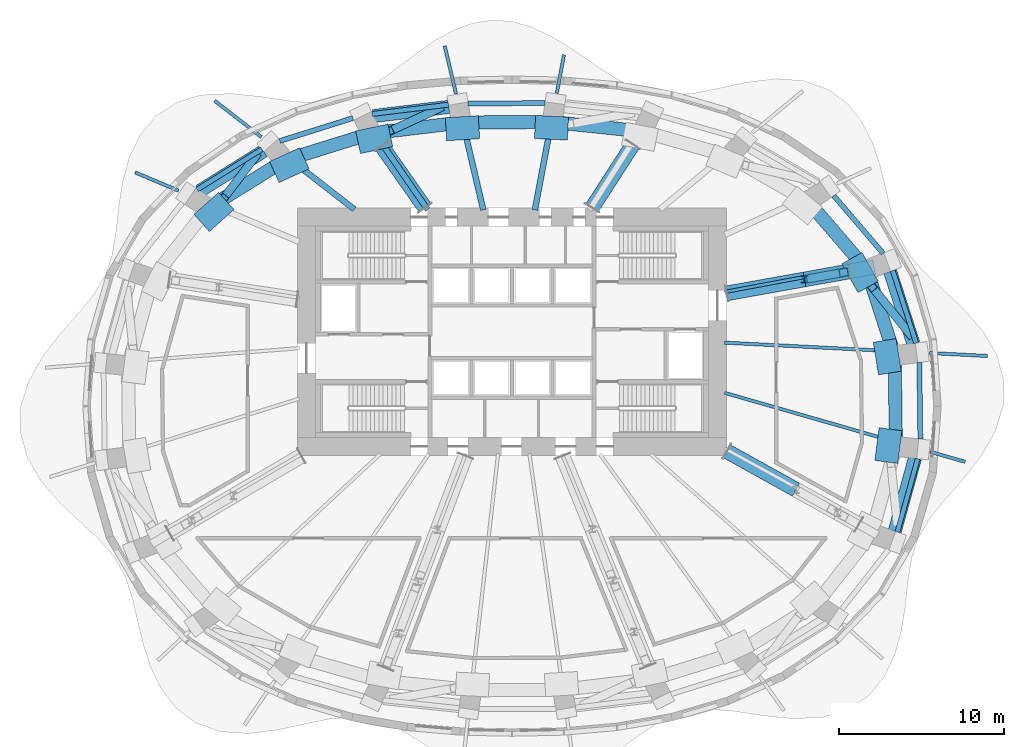
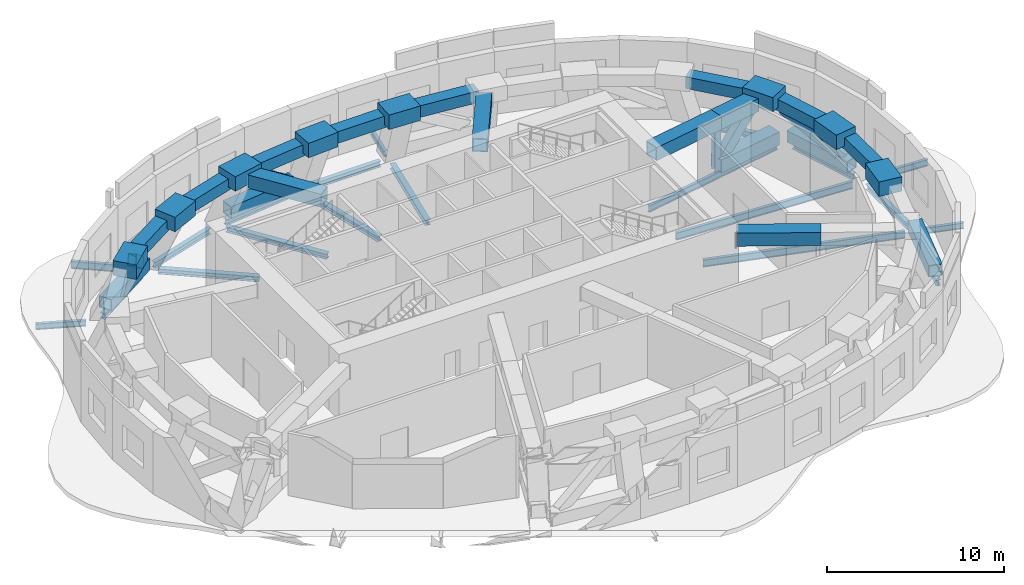
# One storey, part 4 of 11: 29 beams, 23 members.
"""IFC4 building model written with IfcOpenShell, lengths in metres."""

import ifcopenshell
import ifcopenshell.guid

model = None  # the IFC model being written
_history = None  # IfcOwnerHistory: only IFC2X3 demands one
_inside = {}  # id of a spatial element -> (the spatial element, [elements in it])
_under = {}  # id of a project, library or spatial element -> (it, [spatial elements below it])
_declared = {}  # id of a project -> (the project, [libraries it declares])
_typed = {}  # id of a type object -> (the type object, [elements of that type])
_made_of = {}  # id of a material, layer set ... -> (it, [elements and type objects made of it])


def new_model(schema):
    """Start an empty IFC model of exactly this schema.

    Asked for "IFC4X3", IfcOpenShell would pick the latest addendum, in which some entities
    have other attributes; the version numbers below select the first issue.
    IFC2X3 requires an IfcOwnerHistory on every rooted entity: one is made here for all.
    """
    global model, _history
    if schema == "IFC4X3":
        model = ifcopenshell.file(schema_version=(4, 3, 0, 0))
    else:
        model = ifcopenshell.file(schema=schema)
    _inside.clear()
    _under.clear()
    _declared.clear()
    _typed.clear()
    _made_of.clear()
    _history = None
    if model.schema == "IFC2X3":
        org = make("IfcOrganization", Name="unknown")
        user = make(
            "IfcPersonAndOrganization",
            ThePerson=make("IfcPerson", FamilyName="unknown"),
            TheOrganization=org,
        )
        app = make(
            "IfcApplication",
            ApplicationDeveloper=org,
            Version="unknown",
            ApplicationFullName="unknown",
            ApplicationIdentifier="unknown",
        )
        _history = make(
            "IfcOwnerHistory",
            OwningUser=user,
            OwningApplication=app,
            ChangeAction="ADDED",
            CreationDate=0,
        )
    return model


def make(cls, **values):
    """One entity of the class cls with the attributes given. An attribute that is None is left unset."""
    return model.create_entity(
        cls, **{name: value for name, value in values.items() if value is not None}
    )


def rooted(cls, **values):
    """An entity with a GlobalId (a new one), such as an element, a storey or a relation."""
    return make(cls, GlobalId=ifcopenshell.guid.new(), OwnerHistory=_history, **values)


def si_unit(unit_type, name, prefix=None):
    """IfcSIUnit, for example si_unit("LENGTHUNIT", "METRE", prefix="MILLI")."""
    return make("IfcSIUnit", UnitType=unit_type, Prefix=prefix, Name=name)


def assignment(units):
    """IfcUnitAssignment: the units of a project."""
    return None if units is None else make("IfcUnitAssignment", Units=units)


def point(xyz):
    """IfcCartesianPoint."""
    return None if xyz is None else make("IfcCartesianPoint", Coordinates=xyz)


def direction(xyz):
    """IfcDirection."""
    return None if xyz is None else make("IfcDirection", DirectionRatios=xyz)


def frame(location, z_axis=None, x_axis=None):
    """IfcAxis2Placement3D, a coordinate frame: its origin and axes. An axis left out is left unset."""
    return make(
        "IfcAxis2Placement3D",
        Location=point(location),
        Axis=direction(z_axis),
        RefDirection=direction(x_axis),
    )


def frame_2d(location, x_axis=None):
    """IfcAxis2Placement2D, a coordinate frame in the plane: its origin and x axis."""
    return make(
        "IfcAxis2Placement2D", Location=point(location), RefDirection=direction(x_axis)
    )


def origin():
    """The frame at (0, 0, 0) with its axes left unset."""
    return frame((0.0, 0.0, 0.0))


def origin_2d():
    """The frame at (0, 0) in the plane with its x axis left unset."""
    return frame_2d((0.0, 0.0))


def place(relative_to, where):
    """IfcLocalPlacement: puts the frame where relative to a parent placement (None: the world)."""
    return make(
        "IfcLocalPlacement", PlacementRelTo=relative_to, RelativePlacement=where
    )


def context(
    kind, dimensions, precision=None, world=None, true_north=None, identifier=None
):
    """IfcGeometricRepresentationContext, for example the 3D "Model" context."""
    return make(
        "IfcGeometricRepresentationContext",
        ContextIdentifier=identifier,
        ContextType=kind,
        CoordinateSpaceDimension=dimensions,
        Precision=precision,
        WorldCoordinateSystem=world,
        TrueNorth=true_north,
    )


def subcontext(parent, identifier, kind, view, scale=None):
    """IfcGeometricRepresentationSubContext, for example "Body" below "Model"."""
    return make(
        "IfcGeometricRepresentationSubContext",
        ContextIdentifier=identifier,
        ContextType=kind,
        ParentContext=parent,
        TargetScale=scale,
        TargetView=view,
    )


def project(units=None, contexts=None):
    """IfcProject with its units and contexts."""
    return rooted(
        "IfcProject",
        Name="project",
        RepresentationContexts=contexts,
        UnitsInContext=assignment(units),
    )


def spatial(cls, under=None, at=None, **own):
    """A site, building, storey or space (cls), placed at a placement, below another one or the project."""
    s = rooted(cls, ObjectPlacement=at, **own)
    if under is not None:
        _under.setdefault(under.id(), (under, []))[1].append(s)
    return s


def profile(cls, at=None, kind="AREA", **sizes):
    """A parametric profile (cls). Its sizes go by their IFC names, for example OverallWidth=200.0."""
    return make(cls, ProfileType=kind, Position=at, **sizes)


def rectangle(**sizes):
    """IfcRectangleProfileDef."""
    return profile("IfcRectangleProfileDef", **sizes)


def hollow_rectangle(**sizes):
    """IfcRectangleHollowProfileDef."""
    return profile("IfcRectangleHollowProfileDef", **sizes)


def i_section(**sizes):
    """IfcIShapeProfileDef."""
    return profile("IfcIShapeProfileDef", **sizes)


def extrude(swept, where, along, depth):
    """IfcExtrudedAreaSolid: the profile swept, set in the frame where, extruded along a direction by depth."""
    return make(
        "IfcExtrudedAreaSolid",
        SweptArea=swept,
        Position=where,
        ExtrudedDirection=direction(along),
        Depth=depth,
    )


def shape(context_of_items, identifier, shape_type, items):
    """IfcShapeRepresentation: the items that make up one representation, for example the "Body"."""
    return make(
        "IfcShapeRepresentation",
        ContextOfItems=context_of_items,
        RepresentationIdentifier=identifier,
        RepresentationType=shape_type,
        Items=items,
    )


def material(Name=None, Category=None):
    """IfcMaterial."""
    return make("IfcMaterial", Name=Name, Category=Category)


def material_profile(
    of_material, cross_section, Name=None, Category=None, Priority=None
):
    """IfcMaterialProfile: a cross section and its material."""
    return make(
        "IfcMaterialProfile",
        Name=Name,
        Material=of_material,
        Profile=cross_section,
        Priority=Priority,
        Category=Category,
    )


def profile_set(profiles, Name=None, composite=None):
    """IfcMaterialProfileSet."""
    return make(
        "IfcMaterialProfileSet",
        Name=Name,
        MaterialProfiles=profiles,
        CompositeProfile=composite,
    )


def made_of(thing, what):
    """Note that an element or type object is made of a material, layer set ...; save() writes the relation."""
    if what is not None:
        _made_of.setdefault(what.id(), (what, []))[1].append(thing)
    return thing


def type_object(cls, material=None, **own):
    """A type object (cls), such as IfcWallType, which elements share."""
    return made_of(rooted(cls, **own), material)


def element(
    cls,
    number,
    at=None,
    inside=None,
    cuts=None,
    type_object=None,
    material=None,
    context=None,
    identifier="Body",
    shape_type=None,
    held_by="IfcProductDefinitionShape",
    body=None,
    shapes=None,
    **own,
):
    """One element of the class cls, such as IfcWall. Its Tag is "e" and its number.

    at: its placement. inside: the storey or other place that contains it. cuts: it is an
    opening in that element (IfcRelVoidsElement). A single representation is given by context,
    identifier, shape_type and body (its items); several are given by shapes. held_by: the class
    of the entity that holds the representations. save() writes the other relations.
    """
    e = rooted(cls, Tag="e%d" % number, ObjectPlacement=at, **own)
    if body is not None:
        shapes = [shape(context, identifier, shape_type, body)]
    if shapes is not None:
        e.Representation = make(held_by, Representations=shapes)
    if inside is not None:
        _inside.setdefault(inside.id(), (inside, []))[1].append(e)
    if cuts is not None:
        rooted(
            "IfcRelVoidsElement", RelatingBuildingElement=cuts, RelatedOpeningElement=e
        )
    if type_object is not None:
        _typed.setdefault(type_object.id(), (type_object, []))[1].append(e)
    return made_of(e, material)


def aggregate(whole, parts):
    """IfcRelAggregates: a whole, such as a stair, and the parts it consists of."""
    return rooted("IfcRelAggregates", RelatingObject=whole, RelatedObjects=parts)


def save(model, path):
    """Write the relations noted so far, then the file.

    IfcRelAggregates (storeys below a building ...), IfcRelContainedInSpatialStructure (elements
    in a storey), IfcRelDefinesByType, IfcRelAssociatesMaterial and IfcRelDeclares: one each for
    every whole, place, type object, material and project.
    """
    for whole, parts in _under.values():
        aggregate(whole, parts)
    for where, things in _inside.values():
        rooted(
            "IfcRelContainedInSpatialStructure",
            RelatedElements=things,
            RelatingStructure=where,
        )
    for kind, things in _typed.values():
        rooted("IfcRelDefinesByType", RelatedObjects=things, RelatingType=kind)
    for what, things in _made_of.values():
        rooted("IfcRelAssociatesMaterial", RelatedObjects=things, RelatingMaterial=what)
    for by, libraries in _declared.values():
        rooted("IfcRelDeclares", RelatingContext=by, RelatedDefinitions=libraries)
    model.write(path)


model = new_model("IFC4")

# Units and contexts
model_context = context("Model", 3, precision=1e-05, world=origin(), true_north=direction((0.0, 1.0)))
body_context = subcontext(model_context, "Body", "Model", "MODEL_VIEW")
ifc_project = project(units=[si_unit("LENGTHUNIT", "METRE"), si_unit("AREAUNIT", "SQUARE_METRE"), si_unit("VOLUMEUNIT", "CUBIC_METRE"), si_unit("PLANEANGLEUNIT", "RADIAN"), si_unit("MASSUNIT", "GRAM", prefix="KILO")], contexts=[model_context])

# Site, building, storey
site_placement = place(None, origin())
site = spatial("IfcSite", under=ifc_project, at=site_placement, CompositionType="ELEMENT")
building_placement = place(site_placement, origin())
building = spatial("IfcBuilding", under=site, at=building_placement, Name="Rubra Terraces Tower", CompositionType="ELEMENT")
storey_placement = place(building_placement, frame((0.0, 0.0, 121.199951171875)))
storey = spatial("IfcBuildingStorey", under=building, at=storey_placement, Name="L29", CompositionType="ELEMENT", Elevation=121.199951171875)

# Members
ifc_material_1 = material(Name="Steel Q355B", Category="steel")
ifc_material_profile_1 = material_profile(ifc_material_1, hollow_rectangle(XDim=0.800048828125, YDim=0.800048828125, WallThickness=0.0400390625, at=origin_2d()), Name="BOX 800x800x40")
ifc_profile_set_1 = profile_set([ifc_material_profile_1], Name="Steel Q355B")
member_type_1 = type_object("IfcMemberType", Name="BELT TRUSS BOTTOM CHORD R3 BOX 800x800x40", PredefinedType="CHORD", material=ifc_profile_set_1)
member_1_placement = place(storey_placement, frame((24.31201171875, 3.7958984375, 0.400146484375), z_axis=(-0.307418601627, 0.951574381419, 0.0), x_axis=(-0.951574381419, -0.307418601627, 0.0)))
element("IfcMember", 1, at=member_1_placement, inside=storey, type_object=member_type_1, Name="BELT TRUSS CHORD R3", PredefinedType="CHORD", context=body_context, shape_type="SweptSolid", body=[
    extrude(hollow_rectangle(XDim=0.800048828125, YDim=0.800048828125, WallThickness=0.0400390625, at=origin_2d()), origin(), (0.0, 0.0, 1.0), 4.579833984375),
])
member_2_placement = place(storey_placement, frame((-3.826904296875, 18.125, 0.400146484375), z_axis=(-0.99273052313, -0.120358250431, 0.0), x_axis=(0.120358250431, -0.99273052313, 0.0)))
element("IfcMember", 2, at=member_2_placement, inside=storey, type_object=member_type_1, Name="BELT TRUSS CHORD R3", PredefinedType="CHORD", context=body_context, shape_type="SweptSolid", body=[
    extrude(hollow_rectangle(XDim=0.800048828125, YDim=0.800048828125, WallThickness=0.0400390625, at=origin_2d()), origin(), (0.0, 0.0, 1.0), 4.610595703125),
])
member_3_placement = place(storey_placement, frame((-15.049072265625, 15.448974609375, 0.400146484375), z_axis=(-0.848326493206, -0.529473475185, 0.0), x_axis=(0.529473475185, -0.848326493206, 0.0)))
element("IfcMember", 3, at=member_3_placement, inside=storey, type_object=member_type_1, Name="BELT TRUSS CHORD R3", PredefinedType="CHORD", context=body_context, shape_type="SweptSolid", body=[
    extrude(hollow_rectangle(XDim=0.800048828125, YDim=0.800048828125, WallThickness=0.0400390625, at=origin_2d()), origin(), (0.0, 0.0, 1.0), 4.594970703125),
])
member_4_placement = place(storey_placement, frame((23.18408203125, -7.573974609375, 0.400146484375), z_axis=(0.267473514627, 0.963565212621, 0.0), x_axis=(-0.963565212621, 0.267473514627, 0.0)))
element("IfcMember", 4, at=member_4_placement, inside=storey, type_object=member_type_1, Name="BELT TRUSS CHORD R3", PredefinedType="CHORD", context=body_context, shape_type="SweptSolid", body=[
    extrude(hollow_rectangle(XDim=0.800048828125, YDim=0.800048828125, WallThickness=0.0400390625, at=origin_2d()), origin(), (0.0, 0.0, 1.0), 4.5830078125),
])
ifc_material_profile_2 = material_profile(ifc_material_1, hollow_rectangle(XDim=0.5, YDim=0.699951171875, WallThickness=0.030029296875, at=origin_2d()), Name="BOX 700x500x30")
ifc_profile_set_2 = profile_set([ifc_material_profile_2], Name="Steel Q355B")
member_type_2 = type_object("IfcMemberType", Name="BELT TRUSS DIAGONAL R3 BOX 700x500x30", PredefinedType="BRACE", material=ifc_profile_set_2)
member_5_placement = place(storey_placement, frame((24.14306640625, 4.319091796875, 0.699951171875), z_axis=(-0.519974770768, 0.649678822342, 0.554566195837), x_axis=(-0.780732959593, -0.624864822025, 0.0)))
element("IfcMember", 5, at=member_5_placement, inside=storey, type_object=member_type_2, Name="BELT TRUSS DIAGONAL R3", PredefinedType="BRACE", context=body_context, shape_type="SweptSolid", body=[
    extrude(hollow_rectangle(XDim=0.5, YDim=0.699951171875, WallThickness=0.030029296875, at=origin_2d()), origin(), (0.0, 0.0, 1.0), 4.42529296875),
])
member_6_placement = place(storey_placement, frame((-4.3759765625, 18.05810546875, 0.699951171875), z_axis=(-0.731426800334, -0.33774933468, 0.592402078556), x_axis=(0.419229807783, -0.907880150827, 0.0)))
element("IfcMember", 6, at=member_6_placement, inside=storey, type_object=member_type_2, Name="BELT TRUSS DIAGONAL R3", PredefinedType="BRACE", context=body_context, shape_type="SweptSolid", body=[
    extrude(hollow_rectangle(XDim=0.5, YDim=0.699951171875, WallThickness=0.030029296875, at=origin_2d()), origin(), (0.0, 0.0, 1.0), 4.142578125),
])
member_7_placement = place(storey_placement, frame((-15.51708984375, 15.156982421875, 0.699951171875), z_axis=(-0.48074670976, -0.633801994534, 0.605951840314), x_axis=(0.796732789798, -0.604331748016, 0.0)))
element("IfcMember", 7, at=member_7_placement, inside=storey, type_object=member_type_2, Name="BELT TRUSS DIAGONAL R3", PredefinedType="BRACE", context=body_context, shape_type="SweptSolid", body=[
    extrude(hollow_rectangle(XDim=0.5, YDim=0.699951171875, WallThickness=0.030029296875, at=origin_2d()), origin(), (0.0, 0.0, 1.0), 4.050048828125),
])
ifc_material_profile_3 = material_profile(ifc_material_1, hollow_rectangle(XDim=0.800048828125, YDim=0.800048828125, WallThickness=0.0400390625, at=origin_2d()), Name="BOX 800x800x40")
ifc_profile_set_3 = profile_set([ifc_material_profile_3], Name="Steel Q355B")
member_type_3 = type_object("IfcMemberType", Name="BELT TRUSS TOP CHORD R3 BOX 800x800x40", PredefinedType="CHORD", material=ifc_profile_set_3)
member_8_placement = place(storey_placement, frame((22.9990234375, 3.623046875, 3.4541015625), z_axis=(-0.308266745871, 0.951299959734, 0.0), x_axis=(-0.951299959734, -0.308266745871, 0.0)))
element("IfcMember", 8, at=member_8_placement, inside=storey, type_object=member_type_3, Name="BELT TRUSS CHORD R3", PredefinedType="CHORD", context=body_context, shape_type="SweptSolid", body=[
    extrude(hollow_rectangle(XDim=0.800048828125, YDim=0.800048828125, WallThickness=0.0400390625, at=origin_2d()), origin(), (0.0, 0.0, 1.0), 4.265625),
])
member_9_placement = place(storey_placement, frame((21.10791015625, 8.70703125, 3.4541015625), z_axis=(-0.652039268828, 0.758185196312, 0.0), x_axis=(-0.758185196312, -0.652039268828, 0.0)))
element("IfcMember", 9, at=member_9_placement, inside=storey, type_object=member_type_3, Name="BELT TRUSS CHORD R3", PredefinedType="CHORD", context=body_context, shape_type="SweptSolid", body=[
    extrude(hollow_rectangle(XDim=0.800048828125, YDim=0.800048828125, WallThickness=0.0400390625, at=origin_2d()), origin(), (0.0, 0.0, 1.0), 4.2666015625),
])
member_10_placement = place(storey_placement, frame((7.31005859375, 16.7041015625, 3.4541015625), z_axis=(-0.994645953321, 0.103341315758, 0.0), x_axis=(-0.103341315758, -0.994645953321, 0.0)))
element("IfcMember", 10, at=member_10_placement, inside=storey, type_object=member_type_3, Name="BELT TRUSS CHORD R3", PredefinedType="CHORD", context=body_context, shape_type="SweptSolid", body=[
    extrude(hollow_rectangle(XDim=0.800048828125, YDim=0.800048828125, WallThickness=0.0400390625, at=origin_2d()), origin(), (0.0, 0.0, 1.0), 4.294921875),
])
member_11_placement = place(storey_placement, frame((1.841064453125, 17.20703125, 3.4541015625), z_axis=(-0.999988074139, -0.00488380796, 0.0), x_axis=(0.00488380796, -0.999988074139, 0.0)))
element("IfcMember", 11, at=member_11_placement, inside=storey, type_object=member_type_3, Name="BELT TRUSS CHORD R3", PredefinedType="CHORD", context=body_context, shape_type="SweptSolid", body=[
    extrude(hollow_rectangle(XDim=0.800048828125, YDim=0.800048828125, WallThickness=0.0400390625, at=origin_2d()), origin(), (0.0, 0.0, 1.0), 4.299072265625),
])
member_12_placement = place(storey_placement, frame((-3.654052734375, 17.111083984375, 3.4541015625), z_axis=(-0.992808082678, -0.119716794854, 0.0), x_axis=(0.119716794854, -0.992808082678, 0.0)))
element("IfcMember", 12, at=member_12_placement, inside=storey, type_object=member_type_3, Name="BELT TRUSS CHORD R3", PredefinedType="CHORD", context=body_context, shape_type="SweptSolid", body=[
    extrude(hollow_rectangle(XDim=0.800048828125, YDim=0.800048828125, WallThickness=0.0400390625, at=origin_2d()), origin(), (0.0, 0.0, 1.0), 4.294921875),
])
member_13_placement = place(storey_placement, frame((-9.0859375, 16.346923828125, 3.4541015625), z_axis=(-0.954906259702, -0.296907452218, 0.0), x_axis=(0.296907452218, -0.954906259702, 0.0)))
element("IfcMember", 13, at=member_13_placement, inside=storey, type_object=member_type_3, Name="BELT TRUSS CHORD R3", PredefinedType="CHORD", context=body_context, shape_type="SweptSolid", body=[
    extrude(hollow_rectangle(XDim=0.800048828125, YDim=0.800048828125, WallThickness=0.0400390625, at=origin_2d()), origin(), (0.0, 0.0, 1.0), 4.29052734375),
])
member_14_placement = place(storey_placement, frame((-14.264892578125, 14.577880859375, 3.4541015625), z_axis=(-0.84926804455, -0.527961919561, 0.0), x_axis=(0.527961919561, -0.84926804455, 0.0)))
element("IfcMember", 14, at=member_14_placement, inside=storey, type_object=member_type_3, Name="BELT TRUSS CHORD R3", PredefinedType="CHORD", context=body_context, shape_type="SweptSolid", body=[
    extrude(hollow_rectangle(XDim=0.800048828125, YDim=0.800048828125, WallThickness=0.0400390625, at=origin_2d()), origin(), (0.0, 0.0, 1.0), 4.2802734375),
])
member_15_placement = place(storey_placement, frame((23.24609375, -1.837890625, 3.4541015625), z_axis=(-0.012861038547, 0.999917293424, 0.0), x_axis=(-0.999917293424, -0.012861038547, 0.0)))
element("IfcMember", 15, at=member_15_placement, inside=storey, type_object=member_type_3, Name="BELT TRUSS CHORD R3", PredefinedType="CHORD", context=body_context, shape_type="SweptSolid", body=[
    extrude(hollow_rectangle(XDim=0.800048828125, YDim=0.800048828125, WallThickness=0.0400390625, at=origin_2d()), origin(), (0.0, 0.0, 1.0), 4.2900390625),
])

# Beams
ifc_material_profile_4 = material_profile(ifc_material_1, i_section(OverallWidth=0.199951171875, OverallDepth=0.39990234375, WebThickness=0.008056640625, FlangeThickness=0.012939453125, at=origin_2d()), Name="HN 400x200x8x13")
ifc_profile_set_4 = profile_set([ifc_material_profile_4], Name="Steel Q355B")
beam_type_1 = type_object("IfcBeamType", Name="CANTILEVER BEAM HN 400x200x8x13", PredefinedType="BEAM", material=ifc_profile_set_4)
beam_1_placement = place(storey_placement, frame((2.714111328125, 18.952880859375, -0.5), z_axis=(0.184089718966, 0.982909444136, 0.0), x_axis=(-0.982909444136, 0.184089718966, 0.0)))
element("IfcBeam", 16, at=beam_1_placement, inside=storey, type_object=beam_type_1, Name="beam-L29-cant-06", PredefinedType="BEAM", context=body_context, shape_type="SweptSolid", body=[
    extrude(i_section(OverallWidth=0.199951171875, OverallDepth=0.39990234375, WebThickness=0.008056640625, FlangeThickness=0.012939453125, at=origin_2d()), origin(), (0.0, 0.0, 1.0), 2.37255859375),
])
beam_2_placement = place(storey_placement, frame((-3.39306640625, 18.922119140625, -0.5), z_axis=(-0.229208331065, 0.973377388771, 0.0), x_axis=(-0.973377388771, -0.229208331065, 0.0)))
element("IfcBeam", 17, at=beam_2_placement, inside=storey, type_object=beam_type_1, Name="beam-L29-cant-07", PredefinedType="BEAM", context=body_context, shape_type="SweptSolid", body=[
    extrude(i_section(OverallWidth=0.199951171875, OverallDepth=0.39990234375, WebThickness=0.008056640625, FlangeThickness=0.012939453125, at=origin_2d()), origin(), (0.0, 0.0, 1.0), 2.979248046875),
])
beam_3_placement = place(storey_placement, frame((-20.202880859375, 13.048095703125, -0.5), z_axis=(-0.920934147462, 0.389718226465, 0.0), x_axis=(-0.389718226465, -0.920934147462, 0.0)))
element("IfcBeam", 18, at=beam_3_placement, inside=storey, type_object=beam_type_1, Name="beam-L29-cant-10", PredefinedType="BEAM", context=body_context, shape_type="SweptSolid", body=[
    extrude(i_section(OverallWidth=0.199951171875, OverallDepth=0.39990234375, WebThickness=0.008056640625, FlangeThickness=0.012939453125, at=origin_2d()), origin(), (0.0, 0.0, 1.0), 2.850341796875),
])
beam_4_placement = place(storey_placement, frame((25.325927734375, -2.76611328125, -0.5), z_axis=(0.961147152429, -0.276036503703, 0.0), x_axis=(0.276036503703, 0.961147152429, 0.0)))
element("IfcBeam", 19, at=beam_4_placement, inside=storey, type_object=beam_type_1, Name="beam-L29-cant-24", PredefinedType="BEAM", context=body_context, shape_type="SweptSolid", body=[
    extrude(i_section(OverallWidth=0.199951171875, OverallDepth=0.39990234375, WebThickness=0.008056640625, FlangeThickness=0.012939453125, at=origin_2d()), origin(), (0.0, 0.0, 1.0), 2.205810546875),
])
ifc_material_profile_5 = material_profile(ifc_material_1, i_section(OverallWidth=0.198974609375, OverallDepth=0.446044921875, WebThickness=0.008056640625, FlangeThickness=0.011962890625, at=origin_2d()), Name="HN 446x199x8x12")
ifc_profile_set_5 = profile_set([ifc_material_profile_5], Name="Steel Q355B")
beam_type_2 = type_object("IfcBeamType", Name="CANTILEVER BEAM HN 446x199x8x12", PredefinedType="BEAM", material=ifc_profile_set_5)
beam_5_placement = place(storey_placement, frame((25.281982421875, 3.217041015625, -0.52294921875), z_axis=(0.998709471557, -0.050787709356, 0.0), x_axis=(0.050787709356, 0.998709471557, 0.0)))
element("IfcBeam", 20, at=beam_5_placement, inside=storey, type_object=beam_type_2, Name="beam-L29-cant-01", PredefinedType="BEAM", context=body_context, shape_type="SweptSolid", body=[
    extrude(i_section(OverallWidth=0.198974609375, OverallDepth=0.446044921875, WebThickness=0.008056640625, FlangeThickness=0.011962890625, at=origin_2d()), origin(), (0.0, 0.0, 1.0), 3.523681640625),
])
ifc_material_profile_6 = material_profile(ifc_material_1, i_section(OverallWidth=0.198974609375, OverallDepth=0.49609375, WebThickness=0.009033203125, FlangeThickness=0.013916015625, at=origin_2d()), Name="HN 496x199x9x14")
ifc_profile_set_6 = profile_set([ifc_material_profile_6], Name="Steel Q355B")
beam_type_3 = type_object("IfcBeamType", Name="CANTILEVER BEAM HN 496x199x9x14", PredefinedType="BEAM", material=ifc_profile_set_6)
beam_6_placement = place(storey_placement, frame((-15.177001953125, 16.2958984375, -0.5478515625), z_axis=(-0.789542430664, 0.613695975366, 0.0), x_axis=(-0.613695975366, -0.789542430664, 0.0)))
element("IfcBeam", 21, at=beam_6_placement, inside=storey, type_object=beam_type_3, Name="beam-L29-cant-09", PredefinedType="BEAM", context=body_context, shape_type="SweptSolid", body=[
    extrude(i_section(OverallWidth=0.198974609375, OverallDepth=0.49609375, WebThickness=0.009033203125, FlangeThickness=0.013916015625, at=origin_2d()), origin(), (0.0, 0.0, 1.0), 3.593017578125),
])
ifc_material_profile_7 = material_profile(ifc_material_1, i_section(OverallWidth=0.198974609375, OverallDepth=0.446044921875, WebThickness=0.008056640625, FlangeThickness=0.011962890625, at=origin_2d()), Name="HN 446x199x8x12")
ifc_profile_set_7 = profile_set([ifc_material_profile_7], Name="Steel Q355B")
beam_type_4 = type_object("IfcBeamType", Name="FLOOR BEAM HN 446x199x8x12", PredefinedType="BEAM", material=ifc_profile_set_7)
beam_7_placement = place(storey_placement, frame((22.257080078125, 8.669921875, -0.52294921875), z_axis=(-0.982909257943, -0.184090713102, 0.0), x_axis=(0.184090713102, -0.982909257943, 0.0)))
element("IfcBeam", 22, at=beam_7_placement, inside=storey, type_object=beam_type_4, Name="beam-L29-floor-02", PredefinedType="BEAM", context=body_context, shape_type="SweptSolid", body=[
    extrude(i_section(OverallWidth=0.198974609375, OverallDepth=0.446044921875, WebThickness=0.008056640625, FlangeThickness=0.011962890625, at=origin_2d()), origin(), (0.0, 0.0, 1.0), 9.5380859375),
])
ifc_material_profile_8 = material_profile(ifc_material_1, i_section(OverallWidth=0.198974609375, OverallDepth=0.49609375, WebThickness=0.009033203125, FlangeThickness=0.013916015625, at=origin_2d()), Name="HN 496x199x9x14")
ifc_profile_set_8 = profile_set([ifc_material_profile_8], Name="Steel Q355B")
beam_type_5 = type_object("IfcBeamType", Name="FLOOR BEAM HN 496x199x9x14", PredefinedType="BEAM", material=ifc_profile_set_8)
beam_8_placement = place(storey_placement, frame((24.055908203125, 3.279052734375, -0.5478515625), z_axis=(-0.998716006853, 0.050659033312, 0.0), x_axis=(-0.050659033312, -0.998716006853, 0.0)))
element("IfcBeam", 23, at=beam_8_placement, inside=storey, type_object=beam_type_5, Name="beam-L29-floor-01", PredefinedType="BEAM", context=body_context, shape_type="SweptSolid", body=[
    extrude(i_section(OverallWidth=0.198974609375, OverallDepth=0.49609375, WebThickness=0.009033203125, FlangeThickness=0.013916015625, at=origin_2d()), origin(), (0.0, 0.0, 1.0), 11.1904296875),
])
beam_9_placement = place(storey_placement, frame((24.159912109375, -2.431884765625, -0.5478515625), z_axis=(-0.9612201884, 0.275782068691, 0.0), x_axis=(-0.275782068691, -0.9612201884, 0.0)))
element("IfcBeam", 24, at=beam_9_placement, inside=storey, type_object=beam_type_5, Name="beam-L29-floor-24", PredefinedType="BEAM", context=body_context, shape_type="SweptSolid", body=[
    extrude(i_section(OverallWidth=0.198974609375, OverallDepth=0.49609375, WebThickness=0.009033203125, FlangeThickness=0.013916015625, at=origin_2d()), origin(), (0.0, 0.0, 1.0), 11.729736328125),
])
ifc_material_profile_9 = material_profile(ifc_material_1, i_section(OverallWidth=0.35009765625, OverallDepth=0.35009765625, WebThickness=0.011962890625, FlangeThickness=0.01904296875, at=origin_2d()), Name="HW 350x350x12x19")
ifc_profile_set_9 = profile_set([ifc_material_profile_9], Name="Steel Q355B")
beam_type_6 = type_object("IfcBeamType", Name="FLOOR BEAM HW 350x350x12x19", PredefinedType="BEAM", material=ifc_profile_set_9)
beam_10_placement = place(storey_placement, frame((2.489990234375, 17.762939453125, -0.474853515625), z_axis=(-0.184505318504, -0.982831515288, 0.0), x_axis=(0.982831515288, -0.184505318504, 0.0)))
element("IfcBeam", 25, at=beam_10_placement, inside=storey, type_object=beam_type_6, Name="beam-L29-floor-06", PredefinedType="BEAM", context=body_context, shape_type="SweptSolid", body=[
    extrude(i_section(OverallWidth=0.35009765625, OverallDepth=0.35009765625, WebThickness=0.011962890625, FlangeThickness=0.01904296875, at=origin_2d()), origin(), (0.0, 0.0, 1.0), 5.983642578125),
])
beam_11_placement = place(storey_placement, frame((-3.114990234375, 17.738037109375, -0.474853515625), z_axis=(0.229084580284, -0.973406520975, 0.0), x_axis=(0.973406520975, 0.229084580284, 0.0)))
element("IfcBeam", 26, at=beam_11_placement, inside=storey, type_object=beam_type_6, Name="beam-L29-floor-07", PredefinedType="BEAM", context=body_context, shape_type="SweptSolid", body=[
    extrude(i_section(OverallWidth=0.35009765625, OverallDepth=0.35009765625, WebThickness=0.011962890625, FlangeThickness=0.01904296875, at=origin_2d()), origin(), (0.0, 0.0, 1.0), 6.014892578125),
])
beam_12_placement = place(storey_placement, frame((-8.694091796875, 17.091064453125, -0.474853515625), z_axis=(0.568116443955, -0.822948179479, 0.0), x_axis=(0.822948179479, 0.568116443955, 0.0)))
element("IfcBeam", 27, at=beam_12_placement, inside=storey, type_object=beam_type_6, Name="beam-L29-floor-08", PredefinedType="BEAM", context=body_context, shape_type="SweptSolid", body=[
    extrude(i_section(OverallWidth=0.35009765625, OverallDepth=0.35009765625, WebThickness=0.011962890625, FlangeThickness=0.01904296875, at=origin_2d()), origin(), (0.0, 0.0, 1.0), 6.306884765625),
])
beam_13_placement = place(storey_placement, frame((-14.10888671875, 15.466064453125, -0.474853515625), z_axis=(0.789514006973, -0.613732541742, 0.0), x_axis=(0.613732541742, 0.789514006973, 0.0)))
element("IfcBeam", 28, at=beam_13_placement, inside=storey, type_object=beam_type_6, Name="beam-L29-floor-09", PredefinedType="BEAM", context=body_context, shape_type="SweptSolid", body=[
    extrude(i_section(OverallWidth=0.35009765625, OverallDepth=0.35009765625, WebThickness=0.011962890625, FlangeThickness=0.01904296875, at=origin_2d()), origin(), (0.0, 0.0, 1.0), 5.76806640625),
])

# Members
ifc_material_profile_10 = material_profile(ifc_material_1, hollow_rectangle(XDim=0.89990234375, YDim=0.89990234375, WallThickness=0.044921875, at=origin_2d()), Name="BOX 900x900x45")
ifc_profile_set_10 = profile_set([ifc_material_profile_10], Name="Steel Q355B")
member_type_4 = type_object("IfcMemberType", Name="OUTRIGGER BOTTOM CHORD R3 BOX 900x900x45", PredefinedType="CHORD", material=ifc_profile_set_10)
member_16_placement = place(storey_placement, frame((17.72509765625, 7.676025390625, 0.449951171875), z_axis=(0.984341951616, 0.176269459321, 0.0), x_axis=(-0.176269459321, 0.984341951616, 0.0)))
element("IfcMember", 29, at=member_16_placement, inside=storey, type_object=member_type_4, Name="OUTRIGGER TRUSS CHORD R3", PredefinedType="CHORD", context=body_context, shape_type="SweptSolid", body=[
    extrude(hollow_rectangle(XDim=0.89990234375, YDim=0.89990234375, WallThickness=0.044921875, at=origin_2d()), origin(), (0.0, 0.0, 1.0), 4.2880859375),
])
ifc_material_profile_11 = material_profile(ifc_material_1, hollow_rectangle(XDim=0.5, YDim=0.699951171875, WallThickness=0.030029296875, at=origin_2d()), Name="BOX 700x500x30")
ifc_profile_set_11 = profile_set([ifc_material_profile_11], Name="Steel Q355B")
member_type_5 = type_object("IfcMemberType", Name="OUTRIGGER DIAGONAL R3 RISING BOX 700x500x30", PredefinedType="BRACE", material=ifc_profile_set_11)
member_17_placement = place(storey_placement, frame((18.117919921875, 7.7470703125, 0.800048828125), z_axis=(0.646154336612, 0.115473361432, 0.754420622781), x_axis=(-0.175921532498, 0.984404192598, 0.0)))
element("IfcMember", 30, at=member_17_placement, inside=storey, type_object=member_type_5, Name="OUTRIGGER TRUSS DIAGONAL R3", PredefinedType="BRACE", context=body_context, shape_type="SweptSolid", body=[
    extrude(hollow_rectangle(XDim=0.5, YDim=0.699951171875, WallThickness=0.030029296875, at=origin_2d()), origin(), (0.0, 0.0, 1.0), 3.048828125),
])
ifc_material_profile_12 = material_profile(ifc_material_1, i_section(OverallWidth=0.405029296875, OverallDepth=0.4140625, WebThickness=0.01806640625, FlangeThickness=0.028076171875, at=origin_2d()), Name="HW 414x405x18x28")
ifc_profile_set_12 = profile_set([ifc_material_profile_12], Name="Steel Q355B")
member_type_6 = type_object("IfcMemberType", Name="OUTRIGGER POST R3 HW 414x405x18x28", PredefinedType="POST", material=ifc_profile_set_12)
member_18_placement = place(storey_placement, frame((17.72509765625, 7.676025390625, 0.0), z_axis=(0.0, 0.0, 1.0), x_axis=(1.0, 0.0, 0.0)))
element("IfcMember", 31, at=member_18_placement, inside=storey, type_object=member_type_6, Name="OUTRIGGER TRUSS POST R3", PredefinedType="POST", context=body_context, shape_type="SweptSolid", body=[
    extrude(i_section(OverallWidth=0.405029296875, OverallDepth=0.4140625, WebThickness=0.01806640625, FlangeThickness=0.028076171875, at=origin_2d()), origin(), (0.0, 0.0, 1.0), 3.0),
])
ifc_material_profile_13 = material_profile(ifc_material_1, hollow_rectangle(XDim=0.89990234375, YDim=0.89990234375, WallThickness=0.044921875, at=origin_2d()), Name="BOX 900x900x45")
ifc_profile_set_13 = profile_set([ifc_material_profile_13], Name="Steel Q355B")
member_type_7 = type_object("IfcMemberType", Name="OUTRIGGER TOP CHORD R3 BOX 900x900x45", PredefinedType="CHORD", material=ifc_profile_set_13)
member_19_placement = place(storey_placement, frame((13.030029296875, 6.8349609375, 3.449951171875), z_axis=(0.984330942053, 0.176330928988, 0.0), x_axis=(-0.176330928988, 0.984330942053, 0.0)))
element("IfcMember", 32, at=member_19_placement, inside=storey, type_object=member_type_7, Name="OUTRIGGER TRUSS CHORD R3", PredefinedType="CHORD", context=body_context, shape_type="SweptSolid", body=[
    extrude(hollow_rectangle(XDim=0.89990234375, YDim=0.89990234375, WallThickness=0.044921875, at=origin_2d()), origin(), (0.0, 0.0, 1.0), 4.769775390625),
])
member_20_placement = place(storey_placement, frame((17.72509765625, 7.676025390625, 3.449951171875), z_axis=(0.984297129478, 0.176519576537, 0.0), x_axis=(-0.176519576537, 0.984297129478, 0.0)))
element("IfcMember", 33, at=member_20_placement, inside=storey, type_object=member_type_7, Name="OUTRIGGER TRUSS CHORD R3", PredefinedType="CHORD", context=body_context, shape_type="SweptSolid", body=[
    extrude(hollow_rectangle(XDim=0.89990234375, YDim=0.89990234375, WallThickness=0.044921875, at=origin_2d()), origin(), (0.0, 0.0, 1.0), 2.770263671875),
])
member_21_placement = place(storey_placement, frame((4.85693359375, 12.02490234375, 3.550048828125), z_axis=(0.542311879808, 0.840177258094, 0.0), x_axis=(-0.840177258094, 0.542311879808, 0.0)))
element("IfcMember", 34, at=member_21_placement, inside=storey, type_object=member_type_7, Name="OUTRIGGER TRUSS CHORD R3", PredefinedType="CHORD", context=body_context, shape_type="SweptSolid", body=[
    extrude(hollow_rectangle(XDim=0.89990234375, YDim=0.89990234375, WallThickness=0.044921875, at=origin_2d()), origin(), (0.0, 0.0, 1.0), 4.538330078125),
])
member_22_placement = place(storey_placement, frame((-5.279052734375, 12.02490234375, 3.550048828125), z_axis=(-0.574232004822, 0.818692619142, 0.0), x_axis=(-0.818692619142, -0.574232004822, 0.0)))
element("IfcMember", 35, at=member_22_placement, inside=storey, type_object=member_type_7, Name="OUTRIGGER TRUSS CHORD R3", PredefinedType="CHORD", context=body_context, shape_type="SweptSolid", body=[
    extrude(hollow_rectangle(XDim=0.89990234375, YDim=0.89990234375, WallThickness=0.044921875, at=origin_2d()), origin(), (0.0, 0.0, 1.0), 4.532958984375),
])
member_23_placement = place(storey_placement, frame((13.02587890625, -2.740966796875, 3.449951171875), z_axis=(0.874075175522, -0.485790682841, 0.0), x_axis=(0.485790682841, 0.874075175522, 0.0)))
element("IfcMember", 36, at=member_23_placement, inside=storey, type_object=member_type_7, Name="OUTRIGGER TRUSS CHORD R3", PredefinedType="CHORD", context=body_context, shape_type="SweptSolid", body=[
    extrude(hollow_rectangle(XDim=0.89990234375, YDim=0.89990234375, WallThickness=0.044921875, at=origin_2d()), origin(), (0.0, 0.0, 1.0), 4.769775390625),
])

# Beams
ifc_material_profile_14 = material_profile(ifc_material_1, i_section(OverallWidth=0.300048828125, OverallDepth=0.389892578125, WebThickness=0.010009765625, FlangeThickness=0.01611328125, at=origin_2d()), Name="HM 390x300x10x16")
ifc_profile_set_14 = profile_set([ifc_material_profile_14], Name="Steel Q355B")
beam_type_7 = type_object("IfcBeamType", Name="SPANDREL BEAM HM 390x300x10x16", PredefinedType="SPANDREL", material=ifc_profile_set_14)
beam_14_placement = place(storey_placement, frame((24.48193359375, 3.824951171875, -0.494873046875), z_axis=(-0.307414966872, 0.951575555667, 0.0), x_axis=(-0.951575555667, -0.307414966872, 0.0)))
element("IfcBeam", 37, at=beam_14_placement, inside=storey, type_object=beam_type_7, Name="beam-L29-spandrel-01", PredefinedType="SPANDREL", context=body_context, shape_type="SweptSolid", body=[
    extrude(i_section(OverallWidth=0.300048828125, OverallDepth=0.389892578125, WebThickness=0.010009765625, FlangeThickness=0.01611328125, at=origin_2d()), origin(), (0.0, 0.0, 1.0), 4.60302734375),
])
beam_15_placement = place(storey_placement, frame((22.48095703125, 9.251953125, -0.494873046875), z_axis=(-0.650428637413, 0.759567368726, 0.0), x_axis=(-0.759567368726, -0.650428637413, 0.0)))
element("IfcBeam", 38, at=beam_15_placement, inside=storey, type_object=beam_type_7, Name="beam-L29-spandrel-02", PredefinedType="SPANDREL", context=body_context, shape_type="SweptSolid", body=[
    extrude(i_section(OverallWidth=0.300048828125, OverallDepth=0.389892578125, WebThickness=0.010009765625, FlangeThickness=0.01611328125, at=origin_2d()), origin(), (0.0, 0.0, 1.0), 4.6015625),
])
beam_16_placement = place(storey_placement, frame((2.0009765625, 18.35498046875, -0.494873046875), z_axis=(-0.99998885538, -0.004721135025, 0.0), x_axis=(0.004721135025, -0.99998885538, 0.0)))
element("IfcBeam", 39, at=beam_16_placement, inside=storey, type_object=beam_type_7, Name="beam-L29-spandrel-06", PredefinedType="SPANDREL", context=body_context, shape_type="SweptSolid", body=[
    extrude(i_section(OverallWidth=0.300048828125, OverallDepth=0.389892578125, WebThickness=0.010009765625, FlangeThickness=0.01611328125, at=origin_2d()), origin(), (0.0, 0.0, 1.0), 4.654052734375),
])
beam_17_placement = place(storey_placement, frame((-3.85107421875, 18.258056640625, -0.494873046875), z_axis=(-0.992713612833, -0.120497646851, 0.0), x_axis=(0.120497646851, -0.992713612833, 0.0)))
element("IfcBeam", 40, at=beam_17_placement, inside=storey, type_object=beam_type_7, Name="beam-L29-spandrel-07", PredefinedType="SPANDREL", context=body_context, shape_type="SweptSolid", body=[
    extrude(i_section(OverallWidth=0.300048828125, OverallDepth=0.389892578125, WebThickness=0.010009765625, FlangeThickness=0.01611328125, at=origin_2d()), origin(), (0.0, 0.0, 1.0), 4.64794921875),
])
beam_18_placement = place(storey_placement, frame((-9.637939453125, 17.445068359375, -0.494873046875), z_axis=(-0.954462184919, -0.298331925142, 0.0), x_axis=(0.298331925142, -0.954462184919, 0.0)))
element("IfcBeam", 41, at=beam_18_placement, inside=storey, type_object=beam_type_7, Name="beam-L29-spandrel-08", PredefinedType="SPANDREL", context=body_context, shape_type="SweptSolid", body=[
    extrude(i_section(OverallWidth=0.300048828125, OverallDepth=0.389892578125, WebThickness=0.010009765625, FlangeThickness=0.01611328125, at=origin_2d()), origin(), (0.0, 0.0, 1.0), 4.63916015625),
])
beam_19_placement = place(storey_placement, frame((-15.156005859375, 15.56103515625, -0.494873046875), z_axis=(-0.848188188849, -0.529695003089, 0.0), x_axis=(0.529695003089, -0.848188188849, 0.0)))
element("IfcBeam", 42, at=beam_19_placement, inside=storey, type_object=beam_type_7, Name="beam-L29-spandrel-09", PredefinedType="SPANDREL", context=body_context, shape_type="SweptSolid", body=[
    extrude(i_section(OverallWidth=0.300048828125, OverallDepth=0.389892578125, WebThickness=0.010009765625, FlangeThickness=0.01611328125, at=origin_2d()), origin(), (0.0, 0.0, 1.0), 4.62158203125),
])
beam_20_placement = place(storey_placement, frame((23.34912109375, -7.6201171875, -0.494873046875), z_axis=(0.26752901479, 0.963549804756, 0.0), x_axis=(-0.963549804756, 0.26752901479, 0.0)))
element("IfcBeam", 43, at=beam_20_placement, inside=storey, type_object=beam_type_7, Name="beam-L29-spandrel-23", PredefinedType="SPANDREL", context=body_context, shape_type="SweptSolid", body=[
    extrude(i_section(OverallWidth=0.300048828125, OverallDepth=0.389892578125, WebThickness=0.010009765625, FlangeThickness=0.01611328125, at=origin_2d()), origin(), (0.0, 0.0, 1.0), 4.60498046875),
])
beam_21_placement = place(storey_placement, frame((24.735107421875, -1.992919921875, -0.494873046875), z_axis=(-0.012537869063, 0.999921397831, 0.0), x_axis=(-0.999921397831, -0.012537869063, 0.0)))
element("IfcBeam", 44, at=beam_21_placement, inside=storey, type_object=beam_type_7, Name="beam-L29-spandrel-24", PredefinedType="SPANDREL", context=body_context, shape_type="SweptSolid", body=[
    extrude(i_section(OverallWidth=0.300048828125, OverallDepth=0.389892578125, WebThickness=0.010009765625, FlangeThickness=0.01611328125, at=origin_2d()), origin(), (0.0, 0.0, 1.0), 4.63427734375),
])
ifc_material_2 = material(Name="Concrete C60", Category="concrete")
ifc_material_profile_15 = material_profile(ifc_material_2, rectangle(XDim=1.39990234375, YDim=1.0, at=origin_2d()), Name="RC 1400x1000")
ifc_profile_set_15 = profile_set([ifc_material_profile_15], Name="Concrete C60")
beam_type_8 = type_object("IfcBeamType", Name="TRANSFER NODE RC 1400x1000 C60", PredefinedType="BEAM", material=ifc_profile_set_15)
beam_22_placement = place(storey_placement, frame((22.89599609375, 2.006103515625, 3.800048828125), z_axis=(-0.161964028615, 0.986796662659, 0.0), x_axis=(-0.986796662659, -0.161964028615, 0.0)))
element("IfcBeam", 45, at=beam_22_placement, inside=storey, type_object=beam_type_8, Name="node-L29-hi-01", PredefinedType="BEAM", context=body_context, shape_type="SweptSolid", body=[
    extrude(rectangle(XDim=1.39990234375, YDim=1.0, at=origin_2d()), origin(), (0.0, 0.0, 1.0), 2.000244140625),
])
for number, where, z_axis, x_axis, name in (
    (46, (21.571044921875, 7.218017578125, 3.800048828125), (-0.489896142485, 0.87178080363, 0.0), (-0.87178080363, -0.489896142485, 0.0), "node-L29-hi-02"),
    (47, (3.39111328125, 16.81298828125, 3.800048828125), (-0.998801752935, 0.048939333202, 0.0), (-0.048939333202, -0.998801752935, 0.0), "node-L29-hi-06"),
):
    element("IfcBeam", number, at=place(storey_placement, frame(where, z_axis=z_axis, x_axis=x_axis)), inside=storey, type_object=beam_type_8, Name=name, PredefinedType="BEAM", context=body_context, shape_type="SweptSolid", body=[
        extrude(rectangle(XDim=1.39990234375, YDim=1.0, at=origin_2d()), origin(), (0.0, 0.0, 1.0), 2.00048828125),
    ])
beam_23_placement = place(storey_placement, frame((-2.0009765625, 16.89794921875, 3.800048828125), z_axis=(-0.998075311589, -0.062013485603, 0.0), x_axis=(0.062013485603, -0.998075311589, 0.0)))
element("IfcBeam", 48, at=beam_23_placement, inside=storey, type_object=beam_type_8, Name="node-L29-hi-07", PredefinedType="BEAM", context=body_context, shape_type="SweptSolid", body=[
    extrude(rectangle(XDim=1.39990234375, YDim=1.0, at=origin_2d()), origin(), (0.0, 0.0, 1.0), 2.0),
])
beam_24_placement = place(storey_placement, frame((-7.368896484375, 16.40087890625, 3.800048828125), z_axis=(-0.977923711763, -0.208962230971, 0.0), x_axis=(0.208962230971, -0.977923711763, 0.0)))
element("IfcBeam", 49, at=beam_24_placement, inside=storey, type_object=beam_type_8, Name="node-L29-hi-08", PredefinedType="BEAM", context=body_context, shape_type="SweptSolid", body=[
    extrude(rectangle(XDim=1.39990234375, YDim=1.0, at=origin_2d()), origin(), (0.0, 0.0, 1.0), 2.000244140625),
])
beam_25_placement = place(storey_placement, frame((-12.576904296875, 15.010986328125, 3.800048828125), z_axis=(-0.90984330021, -0.414952008144, 0.0), x_axis=(0.414952008144, -0.90984330021, 0.0)))
element("IfcBeam", 50, at=beam_25_placement, inside=storey, type_object=beam_type_8, Name="node-L29-hi-09", PredefinedType="BEAM", context=body_context, shape_type="SweptSolid", body=[
    extrude(rectangle(XDim=1.39990234375, YDim=1.0, at=origin_2d()), origin(), (0.0, 0.0, 1.0), 2.00048828125),
])
beam_26_placement = place(storey_placement, frame((-17.304931640625, 12.428955078125, 3.800048828125), z_axis=(-0.746006958432, -0.665938148758, 0.0), x_axis=(0.665938148758, -0.746006958432, 0.0)))
element("IfcBeam", 51, at=beam_26_placement, inside=storey, type_object=beam_type_8, Name="node-L29-hi-10", PredefinedType="BEAM", context=body_context, shape_type="SweptSolid", body=[
    extrude(rectangle(XDim=1.39990234375, YDim=1.0, at=origin_2d()), origin(), (0.0, 0.0, 1.0), 2.000244140625),
])
beam_27_placement = place(storey_placement, frame((22.673095703125, -3.381103515625, 3.800048828125), z_axis=(0.128854033587, 0.99166357099, 0.0), x_axis=(-0.99166357099, 0.128854033587, 0.0)))
element("IfcBeam", 52, at=beam_27_placement, inside=storey, type_object=beam_type_8, Name="node-L29-hi-24", PredefinedType="BEAM", context=body_context, shape_type="SweptSolid", body=[
    extrude(rectangle(XDim=1.39990234375, YDim=1.0, at=origin_2d()), origin(), (0.0, 0.0, 1.0), 2.000732421875),
])

save(model, "model.ifc")
